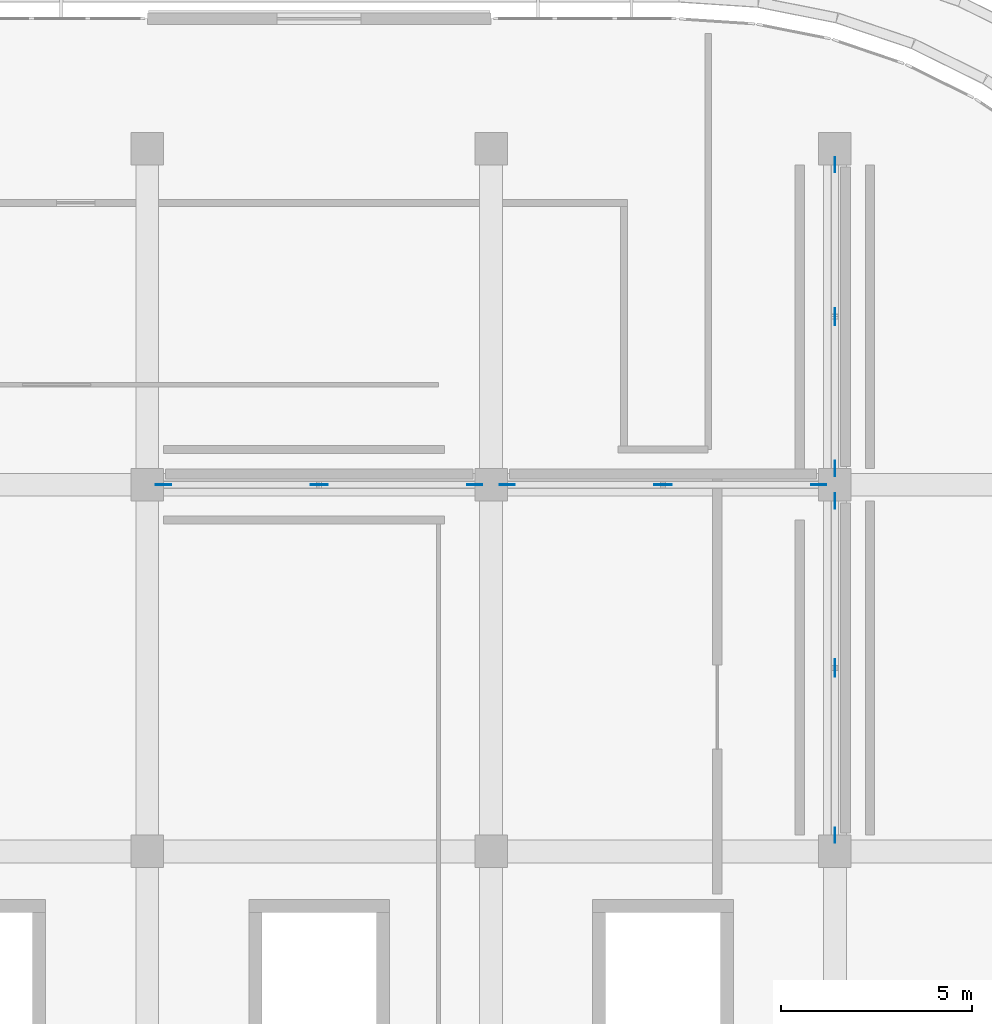
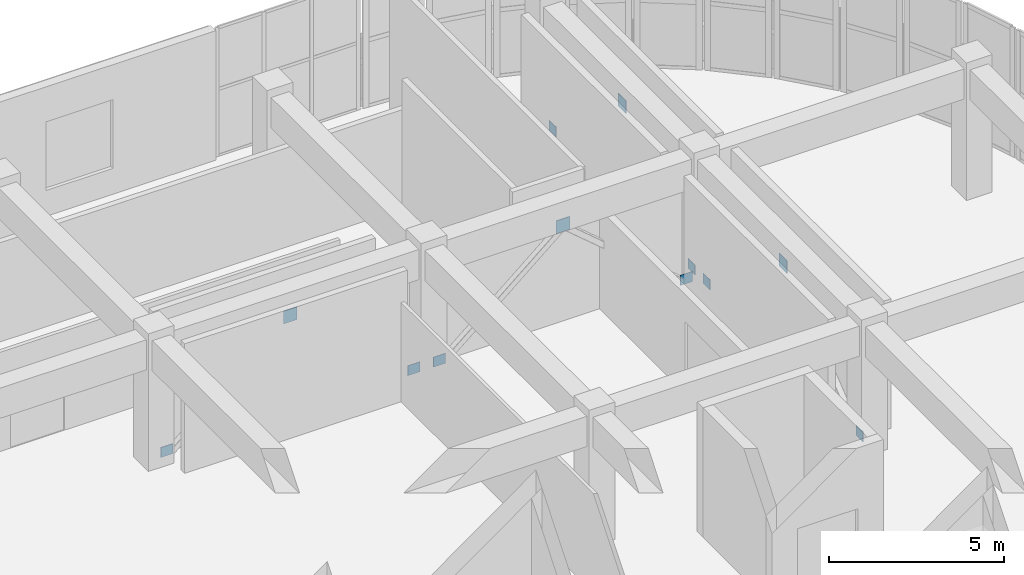
# One storey, part 40 of 67: 12 plates.
"""IFC4 building model written with IfcOpenShell, lengths in metres."""

import ifcopenshell
import ifcopenshell.guid

model = None  # the IFC model being written
_history = None  # IfcOwnerHistory: only IFC2X3 demands one
_inside = {}  # id of a spatial element -> (the spatial element, [elements in it])
_under = {}  # id of a project, library or spatial element -> (it, [spatial elements below it])
_declared = {}  # id of a project -> (the project, [libraries it declares])
_typed = {}  # id of a type object -> (the type object, [elements of that type])
_made_of = {}  # id of a material, layer set ... -> (it, [elements and type objects made of it])


def new_model(schema):
    """Start an empty IFC model of exactly this schema.

    Asked for "IFC4X3", IfcOpenShell would pick the latest addendum, in which some entities
    have other attributes; the version numbers below select the first issue.
    IFC2X3 requires an IfcOwnerHistory on every rooted entity: one is made here for all.
    """
    global model, _history
    if schema == "IFC4X3":
        model = ifcopenshell.file(schema_version=(4, 3, 0, 0))
    else:
        model = ifcopenshell.file(schema=schema)
    _inside.clear()
    _under.clear()
    _declared.clear()
    _typed.clear()
    _made_of.clear()
    _history = None
    if model.schema == "IFC2X3":
        org = make("IfcOrganization", Name="unknown")
        user = make(
            "IfcPersonAndOrganization",
            ThePerson=make("IfcPerson", FamilyName="unknown"),
            TheOrganization=org,
        )
        app = make(
            "IfcApplication",
            ApplicationDeveloper=org,
            Version="unknown",
            ApplicationFullName="unknown",
            ApplicationIdentifier="unknown",
        )
        _history = make(
            "IfcOwnerHistory",
            OwningUser=user,
            OwningApplication=app,
            ChangeAction="ADDED",
            CreationDate=0,
        )
    return model


def make(cls, **values):
    """One entity of the class cls with the attributes given. An attribute that is None is left unset."""
    return model.create_entity(
        cls, **{name: value for name, value in values.items() if value is not None}
    )


def rooted(cls, **values):
    """An entity with a GlobalId (a new one), such as an element, a storey or a relation."""
    return make(cls, GlobalId=ifcopenshell.guid.new(), OwnerHistory=_history, **values)


def si_unit(unit_type, name, prefix=None):
    """IfcSIUnit, for example si_unit("LENGTHUNIT", "METRE", prefix="MILLI")."""
    return make("IfcSIUnit", UnitType=unit_type, Prefix=prefix, Name=name)


def assignment(units):
    """IfcUnitAssignment: the units of a project."""
    return None if units is None else make("IfcUnitAssignment", Units=units)


def point(xyz):
    """IfcCartesianPoint."""
    return None if xyz is None else make("IfcCartesianPoint", Coordinates=xyz)


def direction(xyz):
    """IfcDirection."""
    return None if xyz is None else make("IfcDirection", DirectionRatios=xyz)


def frame(location, z_axis=None, x_axis=None):
    """IfcAxis2Placement3D, a coordinate frame: its origin and axes. An axis left out is left unset."""
    return make(
        "IfcAxis2Placement3D",
        Location=point(location),
        Axis=direction(z_axis),
        RefDirection=direction(x_axis),
    )


def frame_2d(location, x_axis=None):
    """IfcAxis2Placement2D, a coordinate frame in the plane: its origin and x axis."""
    return make(
        "IfcAxis2Placement2D", Location=point(location), RefDirection=direction(x_axis)
    )


def origin():
    """The frame at (0, 0, 0) with its axes left unset."""
    return frame((0.0, 0.0, 0.0))


def origin_2d():
    """The frame at (0, 0) in the plane with its x axis left unset."""
    return frame_2d((0.0, 0.0))


def place(relative_to, where):
    """IfcLocalPlacement: puts the frame where relative to a parent placement (None: the world)."""
    return make(
        "IfcLocalPlacement", PlacementRelTo=relative_to, RelativePlacement=where
    )


def context(
    kind, dimensions, precision=None, world=None, true_north=None, identifier=None
):
    """IfcGeometricRepresentationContext, for example the 3D "Model" context."""
    return make(
        "IfcGeometricRepresentationContext",
        ContextIdentifier=identifier,
        ContextType=kind,
        CoordinateSpaceDimension=dimensions,
        Precision=precision,
        WorldCoordinateSystem=world,
        TrueNorth=true_north,
    )


def subcontext(parent, identifier, kind, view, scale=None):
    """IfcGeometricRepresentationSubContext, for example "Body" below "Model"."""
    return make(
        "IfcGeometricRepresentationSubContext",
        ContextIdentifier=identifier,
        ContextType=kind,
        ParentContext=parent,
        TargetScale=scale,
        TargetView=view,
    )


def project(units=None, contexts=None):
    """IfcProject with its units and contexts."""
    return rooted(
        "IfcProject",
        Name="project",
        RepresentationContexts=contexts,
        UnitsInContext=assignment(units),
    )


def spatial(cls, under=None, at=None, **own):
    """A site, building, storey or space (cls), placed at a placement, below another one or the project."""
    s = rooted(cls, ObjectPlacement=at, **own)
    if under is not None:
        _under.setdefault(under.id(), (under, []))[1].append(s)
    return s


def profile(cls, at=None, kind="AREA", **sizes):
    """A parametric profile (cls). Its sizes go by their IFC names, for example OverallWidth=200.0."""
    return make(cls, ProfileType=kind, Position=at, **sizes)


def rectangle(**sizes):
    """IfcRectangleProfileDef."""
    return profile("IfcRectangleProfileDef", **sizes)


def extrude(swept, where, along, depth):
    """IfcExtrudedAreaSolid: the profile swept, set in the frame where, extruded along a direction by depth."""
    return make(
        "IfcExtrudedAreaSolid",
        SweptArea=swept,
        Position=where,
        ExtrudedDirection=direction(along),
        Depth=depth,
    )


def shape(context_of_items, identifier, shape_type, items):
    """IfcShapeRepresentation: the items that make up one representation, for example the "Body"."""
    return make(
        "IfcShapeRepresentation",
        ContextOfItems=context_of_items,
        RepresentationIdentifier=identifier,
        RepresentationType=shape_type,
        Items=items,
    )


def material(Name=None, Category=None):
    """IfcMaterial."""
    return make("IfcMaterial", Name=Name, Category=Category)


def layer(
    of_material, thickness, ventilated=None, Name=None, Category=None, Priority=None
):
    """IfcMaterialLayer: one layer of a wall or slab, of a material (None: an air gap)."""
    return make(
        "IfcMaterialLayer",
        Material=of_material,
        LayerThickness=thickness,
        IsVentilated=ventilated,
        Name=Name,
        Category=Category,
        Priority=Priority,
    )


def layer_set(layers, Name=None):
    """IfcMaterialLayerSet."""
    return make("IfcMaterialLayerSet", MaterialLayers=layers, LayerSetName=Name)


def made_of(thing, what):
    """Note that an element or type object is made of a material, layer set ...; save() writes the relation."""
    if what is not None:
        _made_of.setdefault(what.id(), (what, []))[1].append(thing)
    return thing


def type_object(cls, material=None, **own):
    """A type object (cls), such as IfcWallType, which elements share."""
    return made_of(rooted(cls, **own), material)


def element(
    cls,
    number,
    at=None,
    inside=None,
    cuts=None,
    type_object=None,
    material=None,
    context=None,
    identifier="Body",
    shape_type=None,
    held_by="IfcProductDefinitionShape",
    body=None,
    shapes=None,
    **own,
):
    """One element of the class cls, such as IfcWall. Its Tag is "e" and its number.

    at: its placement. inside: the storey or other place that contains it. cuts: it is an
    opening in that element (IfcRelVoidsElement). A single representation is given by context,
    identifier, shape_type and body (its items); several are given by shapes. held_by: the class
    of the entity that holds the representations. save() writes the other relations.
    """
    e = rooted(cls, Tag="e%d" % number, ObjectPlacement=at, **own)
    if body is not None:
        shapes = [shape(context, identifier, shape_type, body)]
    if shapes is not None:
        e.Representation = make(held_by, Representations=shapes)
    if inside is not None:
        _inside.setdefault(inside.id(), (inside, []))[1].append(e)
    if cuts is not None:
        rooted(
            "IfcRelVoidsElement", RelatingBuildingElement=cuts, RelatedOpeningElement=e
        )
    if type_object is not None:
        _typed.setdefault(type_object.id(), (type_object, []))[1].append(e)
    return made_of(e, material)


def aggregate(whole, parts):
    """IfcRelAggregates: a whole, such as a stair, and the parts it consists of."""
    return rooted("IfcRelAggregates", RelatingObject=whole, RelatedObjects=parts)


def save(model, path):
    """Write the relations noted so far, then the file.

    IfcRelAggregates (storeys below a building ...), IfcRelContainedInSpatialStructure (elements
    in a storey), IfcRelDefinesByType, IfcRelAssociatesMaterial and IfcRelDeclares: one each for
    every whole, place, type object, material and project.
    """
    for whole, parts in _under.values():
        aggregate(whole, parts)
    for where, things in _inside.values():
        rooted(
            "IfcRelContainedInSpatialStructure",
            RelatedElements=things,
            RelatingStructure=where,
        )
    for kind, things in _typed.values():
        rooted("IfcRelDefinesByType", RelatedObjects=things, RelatingType=kind)
    for what, things in _made_of.values():
        rooted("IfcRelAssociatesMaterial", RelatedObjects=things, RelatingMaterial=what)
    for by, libraries in _declared.values():
        rooted("IfcRelDeclares", RelatingContext=by, RelatedDefinitions=libraries)
    model.write(path)


model = new_model("IFC4")

# Units and contexts
model_context = context("Model", 3, precision=1e-05, world=origin(), true_north=direction((0.0, 1.0)))
body_context = subcontext(model_context, "Body", "Model", "MODEL_VIEW")
ifc_project = project(units=[si_unit("LENGTHUNIT", "METRE"), si_unit("AREAUNIT", "SQUARE_METRE"), si_unit("VOLUMEUNIT", "CUBIC_METRE"), si_unit("PLANEANGLEUNIT", "RADIAN"), si_unit("MASSUNIT", "GRAM", prefix="KILO")], contexts=[model_context])

# Site, building, storey
site_placement = place(None, origin())
site = spatial("IfcSite", under=ifc_project, at=site_placement, CompositionType="ELEMENT")
building_placement = place(site_placement, origin())
building = spatial("IfcBuilding", under=site, at=building_placement, Name="Cendralis Terraced Arcade", CompositionType="ELEMENT")
storey_placement = place(building_placement, frame((0.0, 0.0, 15.0)))
storey = spatial("IfcBuildingStorey", under=building, at=storey_placement, Name="L03", CompositionType="ELEMENT", Elevation=15.0)

# Plates
ifc_material = material(Name="Steel ASTM A572 Grade 50", Category="steel")
ifc_layer_1 = layer(ifc_material, 0.01611328125, Name="PLT-GUS-400x350x16")
ifc_layer_set_1 = layer_set([ifc_layer_1], Name="Steel ASTM A572 Grade 50")
plate_type_1 = type_object("IfcPlateType", Name="PLT-GUS-400x350x16", PredefinedType="SHEET", material=ifc_layer_set_1)
for number, where, z_axis, x_axis, name in (
    (1, (139.625, 98.39990234375, 0.0048828125), (0.0, 0.0, 1.0), (1.0, 0.0, 0.0), "Chevron Brace Base Gusset Plate L03-008-1"),
    (2, (147.77490234375, 98.39990234375, 0.0048828125), (0.0, 0.0, 1.0), (1.0, 0.0, 0.0), "Chevron Brace Base Gusset Plate L03-008-2"),
    (3, (148.625, 98.39990234375, 0.0048828125), (0.0, 0.0, 1.0), (1.0, 0.0, 0.0), "Chevron Brace Base Gusset Plate L03-016-1"),
    (4, (156.77490234375, 98.39990234375, 0.0048828125), (0.0, 0.0, 1.0), (1.0, 0.0, 0.0), "Chevron Brace Base Gusset Plate L03-016-2"),
    (5, (157.199951171875, 89.22509765625, 0.0048828125), (0.0, 0.0, 1.0), (0.0, 1.0, 0.0), "Chevron Brace Base Gusset Plate L03-024-1"),
    (6, (157.199951171875, 97.97509765625, 0.0048828125), (0.0, 0.0, 1.0), (0.0, 1.0, 0.0), "Chevron Brace Base Gusset Plate L03-024-2"),
    (7, (157.199951171875, 98.824951171875, 0.0048828125), (0.0, 0.0, 1.0), (0.0, 1.0, 0.0), "Chevron Brace Base Gusset Plate L03-032-1"),
    (8, (157.199951171875, 106.77490234375, 0.0048828125), (0.0, 0.0, 1.0), (0.0, 1.0, 0.0), "Chevron Brace Base Gusset Plate L03-032-2"),
):
    element("IfcPlate", number, at=place(storey_placement, frame(where, z_axis=z_axis, x_axis=x_axis)), inside=storey, type_object=plate_type_1, Name=name, PredefinedType="SHEET", context=body_context, shape_type="SweptSolid", body=[
        extrude(rectangle(XDim=0.39990234375, YDim=0.01611328125, at=origin_2d()), origin(), (0.0, 0.0, 1.0), 0.35009765625),
    ])
ifc_layer_2 = layer(ifc_material, 0.01611328125, Name="PLT-GUS-450x450x16")
ifc_layer_set_2 = layer_set([ifc_layer_2], Name="Steel ASTM A572 Grade 50")
plate_type_2 = type_object("IfcPlateType", Name="PLT-GUS-450x450x16", PredefinedType="SHEET", material=ifc_layer_set_2)
for number, where, z_axis, x_axis, name in (
    (9, (143.699951171875, 98.39990234375, 3.2451171875), (0.0, 0.0, 1.0), (1.0, 0.0, 0.0), "Chevron Brace Apex Gusset Plate L03-008"),
    (10, (152.699951171875, 98.39990234375, 3.2451171875), (0.0, 0.0, 1.0), (1.0, 0.0, 0.0), "Chevron Brace Apex Gusset Plate L03-016"),
    (11, (157.199951171875, 93.60009765625, 3.2451171875), (0.0, 0.0, 1.0), (0.0, 1.0, 0.0), "Chevron Brace Apex Gusset Plate L03-024"),
    (12, (157.199951171875, 102.800048828125, 3.2451171875), (0.0, 0.0, 1.0), (0.0, 1.0, 0.0), "Chevron Brace Apex Gusset Plate L03-032"),
):
    element("IfcPlate", number, at=place(storey_placement, frame(where, z_axis=z_axis, x_axis=x_axis)), inside=storey, type_object=plate_type_2, Name=name, PredefinedType="SHEET", context=body_context, shape_type="SweptSolid", body=[
        extrude(rectangle(XDim=0.449951171875, YDim=0.01611328125, at=origin_2d()), origin(), (0.0, 0.0, 1.0), 0.449951171875),
    ])

save(model, "model.ifc")
